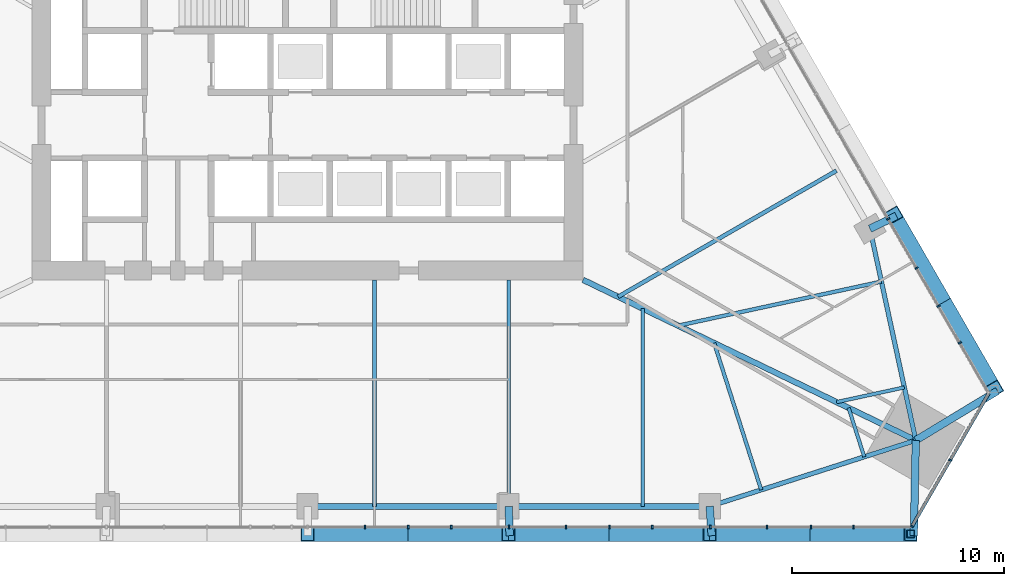
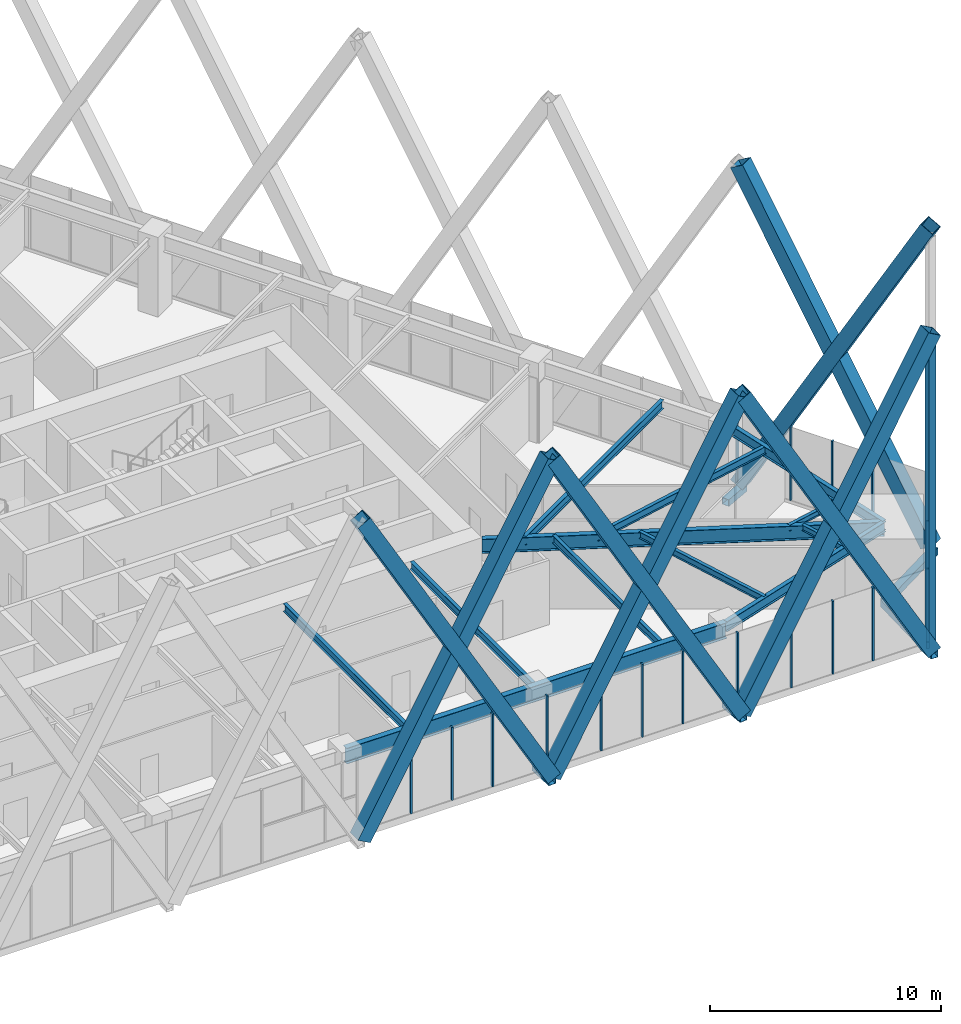
# One storey, part 7 of 21: 32 members, 12 beams, 3 elements without a shape of their own.
"""IFC4 building model written with IfcOpenShell, lengths in metres."""

from ifc_helpers import new_model, si_unit, direction, frame, origin, origin_2d, place, context, subcontext, project, spatial, rectangle, hollow_rectangle, i_section, extrude, material, layer, layer_set, material_profile, profile_set, type_object, element, aggregate, save


model = new_model("IFC4")

# Units and contexts
model_context = context("Model", 3, precision=1e-05, world=origin(), true_north=direction((0.0, 1.0)))
body_context = subcontext(model_context, "Body", "Model", "MODEL_VIEW")
ifc_project = project(units=[si_unit("LENGTHUNIT", "METRE"), si_unit("AREAUNIT", "SQUARE_METRE"), si_unit("VOLUMEUNIT", "CUBIC_METRE"), si_unit("PLANEANGLEUNIT", "RADIAN"), si_unit("MASSUNIT", "GRAM", prefix="KILO")], contexts=[model_context])

# Site, building, storey
site_placement = place(None, origin())
site = spatial("IfcSite", under=ifc_project, at=site_placement, CompositionType="ELEMENT")
building_placement = place(site_placement, origin())
building = spatial("IfcBuilding", under=site, at=building_placement, Name="Firuza Gate Tower and Library", CompositionType="ELEMENT")
storey_placement = place(building_placement, frame((0.0, 0.0, 73.60009765625)))
storey = spatial("IfcBuildingStorey", under=building, at=storey_placement, Name="L16", CompositionType="ELEMENT", Elevation=73.60009765625)

# Members
ifc_material_1 = material(Name="Steel S355", Category="steel")
ifc_material_profile_1 = material_profile(ifc_material_1, hollow_rectangle(XDim=0.699951171875, YDim=0.699951171875, WallThickness=0.030029296875, at=origin_2d()))
ifc_profile_set_1 = profile_set([ifc_material_profile_1], Name="Steel S355")
member_type_1 = type_object("IfcMemberType", Name="BU700x700x30 Lattice brace", PredefinedType="BRACE", material=ifc_profile_set_1)
for number, where, z_axis, x_axis, name in (
    (1, (75.0, 54.01416015625, 0.0), (0.491656898368, 0.0, 0.870789006756), (0.0, 1.0, 0.0), "Lattice brace S 3.4R"),
    (2, (84.4853515625, 54.01416015625, 0.0), (-0.491656898368, 0.0, 0.870789006756), (0.0, -1.0, 0.0), "Lattice brace S 3.4L"),
    (3, (84.4853515625, 54.01416015625, 0.0), (0.491656898368, 0.0, 0.870789006756), (0.0, 1.0, 0.0), "Lattice brace S 3.5R"),
    (4, (93.970703125, 54.01416015625, 0.0), (-0.491656898368, 0.0, 0.870789006756), (0.0, -1.0, 0.0), "Lattice brace S 3.5L"),
):
    element("IfcMember", number, at=place(storey_placement, frame(where, z_axis=z_axis, x_axis=x_axis)), inside=storey, type_object=member_type_1, Name=name, PredefinedType="BRACE", context=body_context, shape_type="SweptSolid", body=[
        extrude(hollow_rectangle(XDim=0.699951171875, YDim=0.699951171875, WallThickness=0.030029296875, at=origin_2d()), origin(), (0.0, 0.0, 1.0), 19.292724609375),
    ])
for number, where, z_axis, x_axis, name in (
    (5, (93.970703125, 54.01416015625, 0.0), (0.491647302623, 0.0, 0.870794424548), (0.0, 1.0, 0.0), "Lattice brace S 3.6R"),
    (6, (103.455810546875, 54.01416015625, 0.0), (-0.491647302623, 0.0, 0.870794424548), (0.0, -1.0, 0.0), "Lattice brace S 3.6L"),
):
    element("IfcMember", number, at=place(storey_placement, frame(where, z_axis=z_axis, x_axis=x_axis)), inside=storey, type_object=member_type_1, Name=name, PredefinedType="BRACE", context=body_context, shape_type="SweptSolid", body=[
        extrude(hollow_rectangle(XDim=0.699951171875, YDim=0.699951171875, WallThickness=0.030029296875, at=origin_2d()), origin(), (0.0, 0.0, 1.0), 19.29248046875),
    ])
for number, where, z_axis, x_axis, name in (
    (7, (107.40234375, 60.849365234375, 0.0), (-0.245828209421, 0.425789239287, 0.870788157453), (-0.866026568532, -0.499997982593, 0.0), "Lattice brace E 3.1R"),
    (8, (102.65966796875, 69.06396484375, 0.0), (0.245828209421, -0.425789239287, 0.870788157453), (0.866026568532, 0.499997982593, 0.0), "Lattice brace E 3.1L"),
):
    element("IfcMember", number, at=place(storey_placement, frame(where, z_axis=z_axis, x_axis=x_axis)), inside=storey, type_object=member_type_1, Name=name, PredefinedType="BRACE", context=body_context, shape_type="SweptSolid", body=[
        extrude(hollow_rectangle(XDim=0.699951171875, YDim=0.699951171875, WallThickness=0.030029296875, at=origin_2d()), origin(), (0.0, 0.0, 1.0), 19.292724609375),
    ])

# Curtain wall, members
ifc_material_2 = material(Name="Aluminium 6063-T6", Category="aluminium")
ifc_layer_1 = layer(ifc_material_2, 0.14990234375)
ifc_layer_set_1 = layer_set([ifc_layer_1], Name="Unitised curtain wall, offices")
curtain_wall_type_1 = type_object("IfcCurtainWallType", Name="Unitised curtain wall, offices", PredefinedType="NOTDEFINED", material=ifc_layer_set_1)
placement = place(storey_placement, origin())
curtain_wall_1 = element("IfcCurtainWall", 9, at=placement, inside=storey, type_object=curtain_wall_type_1, Name="CW1 L16 S face", PredefinedType="NOTDEFINED")
ifc_material_3 = material(Name="Aluminium 6063-T6", Category="aluminium")
ifc_material_profile_2 = material_profile(ifc_material_3, rectangle(XDim=0.14990234375, YDim=0.080078125, at=origin_2d()))
ifc_profile_set_2 = profile_set([ifc_material_profile_2], Name="Aluminium 6063-T6")
member_type_2 = type_object("IfcMemberType", Name="Curtain wall mullion 80x150", PredefinedType="MULLION", material=ifc_profile_set_2)
member_1_placement = place(storey_placement, frame((79.749755859375, 54.339111328125, 0.14990234375), z_axis=(0.0, 0.0, 1.0), x_axis=(0.0, 1.0, 0.0)))
member_1 = element("IfcMember", 10, at=member_1_placement, type_object=member_type_2, Name="Mullion", PredefinedType="MULLION", context=body_context, shape_type="SweptSolid", body=[
    extrude(rectangle(XDim=0.14990234375, YDim=0.080078125, at=origin_2d()), origin(), (0.0, 0.0, 1.0), 3.85009765625),
])
member_2_placement = place(storey_placement, frame((84.499755859375, 54.339111328125, 0.14990234375), z_axis=(0.0, 0.0, 1.0), x_axis=(0.0, 1.0, 0.0)))
member_2 = element("IfcMember", 11, at=member_2_placement, type_object=member_type_2, Name="Mullion", PredefinedType="MULLION", context=body_context, shape_type="SweptSolid", body=[
    extrude(rectangle(XDim=0.14990234375, YDim=0.080078125, at=origin_2d()), origin(), (0.0, 0.0, 1.0), 3.85009765625),
])
member_3_placement = place(storey_placement, frame((89.24951171875, 54.339111328125, 0.14990234375), z_axis=(0.0, 0.0, 1.0), x_axis=(0.0, 1.0, 0.0)))
member_3 = element("IfcMember", 12, at=member_3_placement, type_object=member_type_2, Name="Mullion", PredefinedType="MULLION", context=body_context, shape_type="SweptSolid", body=[
    extrude(rectangle(XDim=0.14990234375, YDim=0.080078125, at=origin_2d()), origin(), (0.0, 0.0, 1.0), 3.85009765625),
])
member_4_placement = place(storey_placement, frame((93.99951171875, 54.339111328125, 0.14990234375), z_axis=(0.0, 0.0, 1.0), x_axis=(0.0, 1.0, 0.0)))
member_4 = element("IfcMember", 13, at=member_4_placement, type_object=member_type_2, Name="Mullion", PredefinedType="MULLION", context=body_context, shape_type="SweptSolid", body=[
    extrude(rectangle(XDim=0.14990234375, YDim=0.080078125, at=origin_2d()), origin(), (0.0, 0.0, 1.0), 3.85009765625),
])
member_5_placement = place(storey_placement, frame((98.749267578125, 54.339111328125, 0.14990234375), z_axis=(0.0, 0.0, 1.0), x_axis=(0.0, 1.0, 0.0)))
member_5 = element("IfcMember", 14, at=member_5_placement, type_object=member_type_2, Name="Mullion", PredefinedType="MULLION", context=body_context, shape_type="SweptSolid", body=[
    extrude(rectangle(XDim=0.14990234375, YDim=0.080078125, at=origin_2d()), origin(), (0.0, 0.0, 1.0), 3.85009765625),
])
member_6_placement = place(storey_placement, frame((77.705322265625, 54.339111328125, 0.14990234375), z_axis=(0.0, 0.0, 1.0), x_axis=(0.0, 1.0, 0.0)))
member_6 = element("IfcMember", 15, at=member_6_placement, type_object=member_type_2, Name="Mullion", PredefinedType="MULLION", context=body_context, shape_type="SweptSolid", body=[
    extrude(rectangle(XDim=0.14990234375, YDim=0.080078125, at=origin_2d()), origin(), (0.0, 0.0, 1.0), 3.85009765625),
])
member_7_placement = place(storey_placement, frame((81.780029296875, 54.339111328125, 0.14990234375), z_axis=(0.0, 0.0, 1.0), x_axis=(0.0, 1.0, 0.0)))
member_7 = element("IfcMember", 16, at=member_7_placement, type_object=member_type_2, Name="Mullion", PredefinedType="MULLION", context=body_context, shape_type="SweptSolid", body=[
    extrude(rectangle(XDim=0.14990234375, YDim=0.080078125, at=origin_2d()), origin(), (0.0, 0.0, 1.0), 3.85009765625),
])
member_8_placement = place(storey_placement, frame((87.190673828125, 54.339111328125, 0.14990234375), z_axis=(0.0, 0.0, 1.0), x_axis=(0.0, 1.0, 0.0)))
member_8 = element("IfcMember", 17, at=member_8_placement, type_object=member_type_2, Name="Mullion", PredefinedType="MULLION", context=body_context, shape_type="SweptSolid", body=[
    extrude(rectangle(XDim=0.14990234375, YDim=0.080078125, at=origin_2d()), origin(), (0.0, 0.0, 1.0), 3.85009765625),
])
member_9_placement = place(storey_placement, frame((91.265380859375, 54.339111328125, 0.14990234375), z_axis=(0.0, 0.0, 1.0), x_axis=(0.0, 1.0, 0.0)))
member_9 = element("IfcMember", 18, at=member_9_placement, type_object=member_type_2, Name="Mullion", PredefinedType="MULLION", context=body_context, shape_type="SweptSolid", body=[
    extrude(rectangle(XDim=0.14990234375, YDim=0.080078125, at=origin_2d()), origin(), (0.0, 0.0, 1.0), 3.85009765625),
])
member_10_placement = place(storey_placement, frame((96.676025390625, 54.339111328125, 0.14990234375), z_axis=(0.0, 0.0, 1.0), x_axis=(0.0, 1.0, 0.0)))
member_10 = element("IfcMember", 19, at=member_10_placement, type_object=member_type_2, Name="Mullion", PredefinedType="MULLION", context=body_context, shape_type="SweptSolid", body=[
    extrude(rectangle(XDim=0.14990234375, YDim=0.080078125, at=origin_2d()), origin(), (0.0, 0.0, 1.0), 3.85009765625),
])
member_11_placement = place(storey_placement, frame((100.75048828125, 54.339111328125, 0.14990234375), z_axis=(0.0, 0.0, 1.0), x_axis=(0.0, 1.0, 0.0)))
member_11 = element("IfcMember", 20, at=member_11_placement, type_object=member_type_2, Name="Mullion", PredefinedType="MULLION", context=body_context, shape_type="SweptSolid", body=[
    extrude(rectangle(XDim=0.14990234375, YDim=0.080078125, at=origin_2d()), origin(), (0.0, 0.0, 1.0), 3.85009765625),
])
aggregate(curtain_wall_1, [member_1, member_2, member_3, member_4, member_5, member_6, member_7, member_8, member_9, member_10, member_11])

ifc_material_4 = material(Name="Aluminium 6063-T6", Category="aluminium")
ifc_layer_2 = layer(ifc_material_4, 0.14990234375)
ifc_layer_set_2 = layer_set([ifc_layer_2], Name="Corner curtain wall, chamfers")
curtain_wall_type_2 = type_object("IfcCurtainWallType", Name="Corner curtain wall, chamfers", PredefinedType="NOTDEFINED", material=ifc_layer_set_2)
curtain_wall_2 = element("IfcCurtainWall", 21, at=placement, inside=storey, type_object=curtain_wall_type_2, Name="CW4 L16 SE corner", PredefinedType="NOTDEFINED")
member_12_placement = place(storey_placement, frame((103.519287109375, 54.373779296875, 0.14990234375), z_axis=(0.0, 0.0, 1.0), x_axis=(-0.866025403784, 0.5, 0.0)))
member_12 = element("IfcMember", 22, at=member_12_placement, type_object=member_type_2, Name="Mullion", PredefinedType="MULLION", context=body_context, shape_type="SweptSolid", body=[
    extrude(rectangle(XDim=0.14990234375, YDim=0.080078125, at=origin_2d()), origin(), (0.0, 0.0, 1.0), 3.85009765625),
])
member_13_placement = place(storey_placement, frame((105.32080078125, 57.494140625, 0.14990234375), z_axis=(0.0, 0.0, 1.0), x_axis=(-0.866025403784, 0.5, 0.0)))
member_13 = element("IfcMember", 23, at=member_13_placement, type_object=member_type_2, Name="Mullion", PredefinedType="MULLION", context=body_context, shape_type="SweptSolid", body=[
    extrude(rectangle(XDim=0.14990234375, YDim=0.080078125, at=origin_2d()), origin(), (0.0, 0.0, 1.0), 3.85009765625),
])

curtain_wall_3 = element("IfcCurtainWall", 24, at=placement, inside=storey, type_object=curtain_wall_type_1, Name="CW1 L16 E face", PredefinedType="NOTDEFINED")
member_14_placement = place(storey_placement, frame((104.767578125, 64.762939453125, 0.14990234375), z_axis=(0.0, 0.0, 1.0), x_axis=(-0.866025403784, -0.5, 0.0)))
member_14 = element("IfcMember", 25, at=member_14_placement, type_object=member_type_2, Name="Mullion", PredefinedType="MULLION", context=body_context, shape_type="SweptSolid", body=[
    extrude(rectangle(XDim=0.14990234375, YDim=0.080078125, at=origin_2d()), origin(), (0.0, 0.0, 1.0), 3.85009765625),
])
member_15_placement = place(storey_placement, frame((102.392578125, 68.87646484375, 0.14990234375), z_axis=(0.0, 0.0, 1.0), x_axis=(-0.866025403784, -0.5, 0.0)))
member_15 = element("IfcMember", 26, at=member_15_placement, type_object=member_type_2, Name="Mullion", PredefinedType="MULLION", context=body_context, shape_type="SweptSolid", body=[
    extrude(rectangle(XDim=0.14990234375, YDim=0.080078125, at=origin_2d()), origin(), (0.0, 0.0, 1.0), 3.85009765625),
])
member_16_placement = place(storey_placement, frame((105.76806640625, 63.02978515625, 0.14990234375), z_axis=(0.0, 0.0, 1.0), x_axis=(-0.866025403784, -0.5, 0.0)))
member_16 = element("IfcMember", 27, at=member_16_placement, type_object=member_type_2, Name="Mullion", PredefinedType="MULLION", context=body_context, shape_type="SweptSolid", body=[
    extrude(rectangle(XDim=0.14990234375, YDim=0.080078125, at=origin_2d()), origin(), (0.0, 0.0, 1.0), 3.85009765625),
])
member_17_placement = place(storey_placement, frame((103.73095703125, 66.55859375, 0.14990234375), z_axis=(0.0, 0.0, 1.0), x_axis=(-0.866025403784, -0.5, 0.0)))
member_17 = element("IfcMember", 28, at=member_17_placement, type_object=member_type_2, Name="Mullion", PredefinedType="MULLION", context=body_context, shape_type="SweptSolid", body=[
    extrude(rectangle(XDim=0.14990234375, YDim=0.080078125, at=origin_2d()), origin(), (0.0, 0.0, 1.0), 3.85009765625),
])
aggregate(curtain_wall_3, [member_14, member_15, member_16, member_17])

# Member
ifc_material_5 = material(Name="Aluminium 6063-T6", Category="aluminium")
ifc_material_profile_3 = material_profile(ifc_material_5, rectangle(XDim=0.14990234375, YDim=0.35009765625, at=origin_2d()))
ifc_profile_set_3 = profile_set([ifc_material_profile_3], Name="Aluminium 6063-T6")
member_type_3 = type_object("IfcMemberType", Name="Curtain wall transom 350x150", PredefinedType="USERDEFINED", material=ifc_profile_set_3)
member_18_placement = place(storey_placement, frame((103.499267578125, 54.339111328125, -0.025146484375), z_axis=(0.500005719219, 0.866022101766, 0.0), x_axis=(-0.866022101766, 0.500005719219, 0.0)))
member_18 = element("IfcMember", 29, at=member_18_placement, type_object=member_type_3, Name="Transom", ObjectType="TRANSOM", PredefinedType="USERDEFINED", context=body_context, shape_type="SweptSolid", body=[
    extrude(rectangle(XDim=0.14990234375, YDim=0.35009765625, at=origin_2d()), origin(), (0.0, 0.0, 1.0), 7.28662109375),
])

aggregate(curtain_wall_2, [member_12, member_13, member_18])

# Members
ifc_material_6 = material(Name="Steel S355", Category="steel")
ifc_material_profile_4 = material_profile(ifc_material_6, hollow_rectangle(XDim=0.355712890625, YDim=0.355712890625, WallThickness=0.014892578125, at=origin_2d()))
ifc_profile_set_4 = profile_set([ifc_material_profile_4], Name="Steel S355")
member_type_4 = type_object("IfcMemberType", Name="HSS356x356x16 Lattice corner stile", PredefinedType="BRACE", material=ifc_profile_set_4)
member_19_placement = place(storey_placement, frame((103.455810546875, 54.01416015625, -0.14013671875), z_axis=(0.0, 0.0, 1.0), x_axis=(1.0, 0.0, 0.0)))
element("IfcMember", 30, at=member_19_placement, inside=storey, type_object=member_type_4, Name="Lattice corner stile S 3.B", PredefinedType="BRACE", context=body_context, shape_type="SweptSolid", body=[
    extrude(hollow_rectangle(XDim=0.355712890625, YDim=0.355712890625, WallThickness=0.014892578125, at=origin_2d()), origin(), (0.0, 0.0, 1.0), 16.43994140625),
])
ifc_material_7 = material(Name="Steel S355", Category="steel")
ifc_material_profile_5 = material_profile(ifc_material_7, hollow_rectangle(XDim=0.355712890625, YDim=0.355712890625, WallThickness=0.014892578125, at=origin_2d()))
ifc_profile_set_5 = profile_set([ifc_material_profile_5], Name="Steel S355")
member_type_5 = type_object("IfcMemberType", Name="HSS356x356x16 Lattice node tie", PredefinedType="BRACE", material=ifc_profile_set_5)
member_20_placement = place(storey_placement, frame((101.533935546875, 68.4140625, -0.320068359375), z_axis=(0.899227610632, 0.437481090194, 0.0), x_axis=(-0.437481090194, 0.899227610632, 0.0)))
element("IfcMember", 31, at=member_20_placement, inside=storey, type_object=member_type_5, Name="Lattice node tie E L16 48", PredefinedType="BRACE", context=body_context, shape_type="SweptSolid", body=[
    extrude(hollow_rectangle(XDim=0.355712890625, YDim=0.355712890625, WallThickness=0.014892578125, at=origin_2d()), origin(), (0.0, 0.0, 1.0), 1.388427734375),
])
member_21_placement = place(storey_placement, frame((103.697021484375, 58.431640625, -0.320068359375), z_axis=(0.855419817964, 0.517935261431, 0.0), x_axis=(-0.517935261431, 0.855419817964, 0.0)))
element("IfcMember", 32, at=member_21_placement, inside=storey, type_object=member_type_5, Name="Lattice node tie E L16 49", PredefinedType="BRACE", context=body_context, shape_type="SweptSolid", body=[
    extrude(hollow_rectangle(XDim=0.355712890625, YDim=0.355712890625, WallThickness=0.014892578125, at=origin_2d()), origin(), (0.0, 0.0, 1.0), 4.50390625),
])
member_22_placement = place(storey_placement, frame((84.4853515625, 55.31396484375, -0.320068359375), z_axis=(0.035408770577, -0.999372912864, 0.0), x_axis=(0.999372912864, 0.035408770577, 0.0)))
element("IfcMember", 33, at=member_22_placement, inside=storey, type_object=member_type_5, Name="Lattice node tie S L16 54", PredefinedType="BRACE", context=body_context, shape_type="SweptSolid", body=[
    extrude(hollow_rectangle(XDim=0.355712890625, YDim=0.355712890625, WallThickness=0.014892578125, at=origin_2d()), origin(), (0.0, 0.0, 1.0), 1.385986328125),
])
member_23_placement = place(storey_placement, frame((93.970703125, 55.31396484375, -0.320068359375), z_axis=(0.070684731161, -0.997498706155, 0.0), x_axis=(0.997498706155, 0.070684731161, 0.0)))
element("IfcMember", 34, at=member_23_placement, inside=storey, type_object=member_type_5, Name="Lattice node tie S L16 55", PredefinedType="BRACE", context=body_context, shape_type="SweptSolid", body=[
    extrude(hollow_rectangle(XDim=0.355712890625, YDim=0.355712890625, WallThickness=0.014892578125, at=origin_2d()), origin(), (0.0, 0.0, 1.0), 1.388427734375),
])
member_24_placement = place(storey_placement, frame((103.697021484375, 58.431640625, -0.320068359375), z_axis=(-0.02081639609, -0.999783315351, 0.0), x_axis=(0.999783315351, -0.02081639609, 0.0)))
element("IfcMember", 35, at=member_24_placement, inside=storey, type_object=member_type_5, Name="Lattice node tie S L16 56", PredefinedType="BRACE", context=body_context, shape_type="SweptSolid", body=[
    extrude(hollow_rectangle(XDim=0.355712890625, YDim=0.355712890625, WallThickness=0.014892578125, at=origin_2d()), origin(), (0.0, 0.0, 1.0), 4.503662109375),
])

# Beams
ifc_material_8 = material(Name="Steel S355", Category="steel")
ifc_material_profile_6 = material_profile(ifc_material_8, i_section(OverallWidth=0.1650390625, OverallDepth=0.31005859375, WebThickness=0.005859375, FlangeThickness=0.009765625, at=origin_2d()))
ifc_profile_set_6 = profile_set([ifc_material_profile_6], Name="Steel S355")
beam_type_1 = type_object("IfcBeamType", Name="W310x39 Floor beam", PredefinedType="JOIST", material=ifc_profile_set_6)
beam_1_placement = place(storey_placement, frame((101.265380859375, 57.65234375, 3.844970703125), z_axis=(-0.305239756839, 0.952275533049, 0.0), x_axis=(-0.952275533049, -0.305239756839, 0.0)))
element("IfcBeam", 36, at=beam_1_placement, inside=storey, type_object=beam_type_1, Name="Floor beam L16 s31", PredefinedType="JOIST", context=body_context, shape_type="SweptSolid", body=[
    extrude(i_section(OverallWidth=0.1650390625, OverallDepth=0.31005859375, WebThickness=0.005859375, FlangeThickness=0.009765625, at=origin_2d()), origin(), (0.0, 0.0, 1.0), 2.42431640625),
])
beam_2_placement = place(storey_placement, frame((103.15625, 60.92724609375, 3.844970703125), z_axis=(-0.97732159581, -0.211760474035, 0.0), x_axis=(0.211760474035, -0.97732159581, 0.0)))
element("IfcBeam", 37, at=beam_2_placement, inside=storey, type_object=beam_type_1, Name="Floor beam L16 s40", PredefinedType="JOIST", context=body_context, shape_type="SweptSolid", body=[
    extrude(i_section(OverallWidth=0.1650390625, OverallDepth=0.31005859375, WebThickness=0.005859375, FlangeThickness=0.009765625, at=origin_2d()), origin(), (0.0, 0.0, 1.0), 3.27197265625),
])
ifc_material_9 = material(Name="Steel S355", Category="steel")
ifc_material_profile_7 = material_profile(ifc_material_9, i_section(OverallWidth=0.1708984375, OverallDepth=0.35498046875, WebThickness=0.007080078125, FlangeThickness=0.01171875, at=origin_2d()))
ifc_profile_set_7 = profile_set([ifc_material_profile_7], Name="Steel S355")
beam_type_2 = type_object("IfcBeamType", Name="W360x51 Floor beam", PredefinedType="JOIST", material=ifc_profile_set_7)
beam_3_placement = place(storey_placement, frame((96.402099609375, 56.093505859375, 3.822509765625), z_axis=(-0.305239756839, 0.952275533049, 0.0), x_axis=(-0.952275533049, -0.305239756839, 0.0)))
element("IfcBeam", 38, at=beam_3_placement, inside=storey, type_object=beam_type_2, Name="Floor beam L16 s30", PredefinedType="JOIST", context=body_context, shape_type="SweptSolid", body=[
    extrude(i_section(OverallWidth=0.1708984375, OverallDepth=0.35498046875, WebThickness=0.007080078125, FlangeThickness=0.01171875, at=origin_2d()), origin(), (0.0, 0.0, 1.0), 7.27294921875),
])
ifc_material_10 = material(Name="Steel S355", Category="steel")
ifc_material_profile_8 = material_profile(ifc_material_10, i_section(OverallWidth=0.177978515625, OverallDepth=0.406982421875, WebThickness=0.0078125, FlangeThickness=0.0126953125, at=origin_2d()))
ifc_profile_set_8 = profile_set([ifc_material_profile_8], Name="Steel S355")
beam_type_3 = type_object("IfcBeamType", Name="W410x60 Floor beam", PredefinedType="JOIST", material=ifc_profile_set_8)
for number, where, z_axis, x_axis, name in (
    (39, (78.161865234375, 55.31396484375, 3.79638671875), (0.0, 1.0, 0.0), (-1.0, 0.0, 0.0), "Floor beam L16 s23"),
    (40, (84.4853515625, 55.31396484375, 3.79638671875), (0.0, 1.0, 0.0), (-1.0, 0.0, 0.0), "Floor beam L16 s24"),
):
    element("IfcBeam", number, at=place(storey_placement, frame(where, z_axis=z_axis, x_axis=x_axis)), inside=storey, type_object=beam_type_3, Name=name, PredefinedType="JOIST", context=body_context, shape_type="SweptSolid", body=[
        extrude(i_section(OverallWidth=0.177978515625, OverallDepth=0.406982421875, WebThickness=0.0078125, FlangeThickness=0.0126953125, at=origin_2d()), origin(), (0.0, 0.0, 1.0), 10.68603515625),
    ])
beam_4_placement = place(storey_placement, frame((90.808837890625, 55.31396484375, 3.79638671875), z_axis=(0.0, 1.0, 0.0), x_axis=(-1.0, 0.0, 0.0)))
element("IfcBeam", 41, at=beam_4_placement, inside=storey, type_object=beam_type_3, Name="Floor beam L16 s25", PredefinedType="JOIST", context=body_context, shape_type="SweptSolid", body=[
    extrude(i_section(OverallWidth=0.177978515625, OverallDepth=0.406982421875, WebThickness=0.0078125, FlangeThickness=0.0126953125, at=origin_2d()), origin(), (0.0, 0.0, 1.0), 9.331787109375),
])
beam_5_placement = place(storey_placement, frame((102.07470703125, 65.91845703125, 3.79638671875), z_axis=(-0.9773124156, -0.211802838306, 0.0), x_axis=(0.211802838306, -0.9773124156, 0.0)))
element("IfcBeam", 42, at=beam_5_placement, inside=storey, type_object=beam_type_3, Name="Floor beam L16 s41", PredefinedType="JOIST", context=body_context, shape_type="SweptSolid", body=[
    extrude(i_section(OverallWidth=0.177978515625, OverallDepth=0.406982421875, WebThickness=0.0078125, FlangeThickness=0.0126953125, at=origin_2d()), origin(), (0.0, 0.0, 1.0), 9.816162109375),
])
ifc_material_11 = material(Name="Steel S355", Category="steel")
ifc_material_profile_9 = material_profile(ifc_material_11, i_section(OverallWidth=0.18994140625, OverallDepth=0.45703125, WebThickness=0.009033203125, FlangeThickness=0.014404296875, at=origin_2d()))
ifc_profile_set_9 = profile_set([ifc_material_profile_9], Name="Steel S355")
beam_type_4 = type_object("IfcBeamType", Name="W460x74 Floor beam", PredefinedType="JOIST", material=ifc_profile_set_9)
beam_6_placement = place(storey_placement, frame((99.952880859375, 71.152099609375, 3.771484375), z_axis=(-0.866025640697, -0.499999589656, 0.0), x_axis=(0.499999589656, -0.866025640697, 0.0)))
element("IfcBeam", 43, at=beam_6_placement, inside=storey, type_object=beam_type_4, Name="Floor beam L16 s50", PredefinedType="JOIST", context=body_context, shape_type="SweptSolid", body=[
    extrude(i_section(OverallWidth=0.18994140625, OverallDepth=0.45703125, WebThickness=0.009033203125, FlangeThickness=0.014404296875, at=origin_2d()), origin(), (0.0, 0.0, 1.0), 11.89599609375),
])
ifc_material_12 = material(Name="Steel S355", Category="steel")
ifc_material_profile_10 = material_profile(ifc_material_12, i_section(OverallWidth=0.212890625, OverallDepth=0.5390625, WebThickness=0.01171875, FlangeThickness=0.018798828125, at=origin_2d()))
ifc_profile_set_10 = profile_set([ifc_material_profile_10], Name="Steel S355")
beam_type_5 = type_object("IfcBeamType", Name="W530x109 Edge beam", PredefinedType="SPANDREL", material=ifc_profile_set_10)
beam_7_placement = place(storey_placement, frame((93.970703125, 55.31396484375, 3.73046875), z_axis=(0.952274716719, 0.305242303584, 0.0), x_axis=(-0.305242303584, 0.952274716719, 0.0)))
element("IfcBeam", 44, at=beam_7_placement, inside=storey, type_object=beam_type_5, Name="Edge beam L16 e30", PredefinedType="SPANDREL", context=body_context, shape_type="SweptSolid", body=[
    extrude(i_section(OverallWidth=0.212890625, OverallDepth=0.5390625, WebThickness=0.01171875, FlangeThickness=0.018798828125, at=origin_2d()), origin(), (0.0, 0.0, 1.0), 10.2138671875),
])
beam_8_placement = place(storey_placement, frame((103.697021484375, 58.431640625, 3.73046875), z_axis=(-0.211774655481, 0.977318522947, 0.0), x_axis=(-0.977318522947, -0.211774655481, 0.0)))
element("IfcBeam", 45, at=beam_8_placement, inside=storey, type_object=beam_type_5, Name="Edge beam L16 e40", PredefinedType="SPANDREL", context=body_context, shape_type="SweptSolid", body=[
    extrude(i_section(OverallWidth=0.212890625, OverallDepth=0.5390625, WebThickness=0.01171875, FlangeThickness=0.018798828125, at=origin_2d()), origin(), (0.0, 0.0, 1.0), 10.214111328125),
])
ifc_material_13 = material(Name="Steel S355", Category="steel")
ifc_material_profile_11 = material_profile(ifc_material_13, i_section(OverallWidth=0.264892578125, OverallDepth=0.7529296875, WebThickness=0.01318359375, FlangeThickness=0.01708984375, at=origin_2d()))
ifc_profile_set_11 = profile_set([ifc_material_profile_11], Name="Steel S355")
beam_type_6 = type_object("IfcBeamType", Name="W760x147 Girder", PredefinedType="BEAM", material=ifc_profile_set_11)
beam_9_placement = place(storey_placement, frame((103.697021484375, 58.431640625, 3.623291015625), z_axis=(-0.900765255898, 0.434306290269, 0.0), x_axis=(-0.434306290269, -0.900765255898, 0.0)))
element("IfcBeam", 46, at=beam_9_placement, inside=storey, type_object=beam_type_6, Name="Girder L16 gSE", PredefinedType="BEAM", context=body_context, shape_type="SweptSolid", body=[
    extrude(i_section(OverallWidth=0.264892578125, OverallDepth=0.7529296875, WebThickness=0.01318359375, FlangeThickness=0.01708984375, at=origin_2d()), origin(), (0.0, 0.0, 1.0), 17.42626953125),
])
ifc_material_14 = material(Name="Steel S355", Category="steel")
ifc_material_profile_12 = material_profile(ifc_material_14, i_section(OverallWidth=0.2919921875, OverallDepth=0.8349609375, WebThickness=0.013916015625, FlangeThickness=0.018798828125, at=origin_2d()))
ifc_profile_set_12 = profile_set([ifc_material_profile_12], Name="Steel S355")
beam_type_7 = type_object("IfcBeamType", Name="W840x176 Edge beam", PredefinedType="SPANDREL", material=ifc_profile_set_12)
beam_10_placement = place(storey_placement, frame((75.0, 55.31396484375, 3.58251953125), z_axis=(1.0, 0.0, 0.0), x_axis=(0.0, 1.0, 0.0)))
element("IfcBeam", 47, at=beam_10_placement, inside=storey, type_object=beam_type_7, Name="Edge beam L16 e22", PredefinedType="SPANDREL", context=body_context, shape_type="SweptSolid", body=[
    extrude(i_section(OverallWidth=0.2919921875, OverallDepth=0.8349609375, WebThickness=0.013916015625, FlangeThickness=0.018798828125, at=origin_2d()), origin(), (0.0, 0.0, 1.0), 18.970703125),
])

save(model, "model.ifc")
